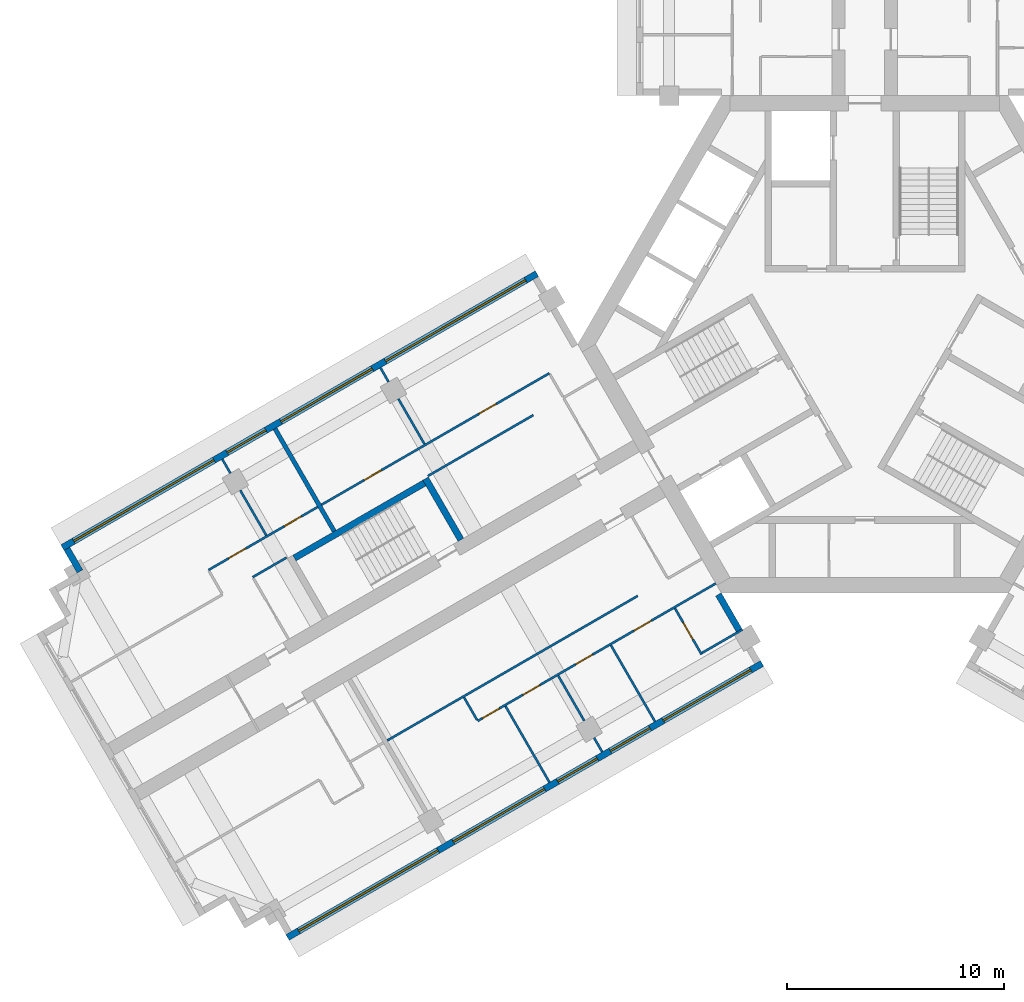
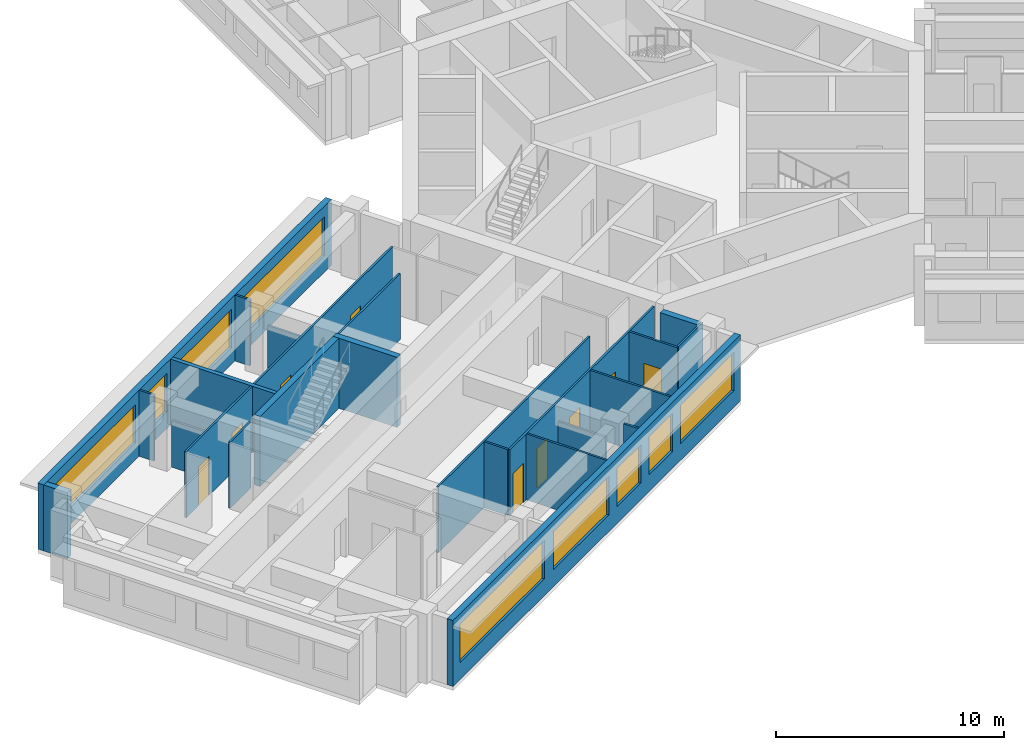
# One storey, part 3 of 10: 24 walls, 9 doors, 9 windows, 18 openings.
"""IFC4 building model written with IfcOpenShell, lengths in metres."""

from ifc_helpers import new_model, si_unit, direction, frame, frame_2d, origin, place, context, subcontext, project, spatial, rectangle, extrude, material, layer, layer_set, type_object, element, fill, save


model = new_model("IFC4")

# Units and contexts
model_context = context("Model", 3, precision=1e-05, world=origin(), true_north=direction((0.0, 1.0)))
body_context = subcontext(model_context, "Body", "Model", "MODEL_VIEW")
ifc_project = project(units=[si_unit("LENGTHUNIT", "METRE"), si_unit("AREAUNIT", "SQUARE_METRE"), si_unit("VOLUMEUNIT", "CUBIC_METRE"), si_unit("PLANEANGLEUNIT", "RADIAN"), si_unit("MASSUNIT", "GRAM", prefix="KILO")], contexts=[model_context])

# Site, building, storey
site_placement = place(None, origin())
site = spatial("IfcSite", under=ifc_project, at=site_placement, CompositionType="ELEMENT")
building_placement = place(site_placement, origin())
building = spatial("IfcBuilding", under=site, at=building_placement, Name="Impinga Residences", CompositionType="ELEMENT")
storey_placement = place(building_placement, frame((0.0, 0.0, 196.0)))
storey = spatial("IfcBuildingStorey", under=building, at=storey_placement, Name="L48", CompositionType="ELEMENT", Elevation=196.0)

# Wall
ifc_material_1 = material(Name="Terracotta rainscreen on blockwork", Category="masonry")
ifc_layer_1 = layer(ifc_material_1, 0.300048828125)
ifc_layer_set_1 = layer_set([ifc_layer_1], Name="EW1 external wall, terracotta rainscreen on blockwork 300")
wall_type_1 = type_object("IfcWallType", Name="EW1 external wall, terracotta rainscreen on blockwork 300", PredefinedType="SOLIDWALL", material=ifc_layer_set_1)
wall_1_placement = place(storey_placement, frame((-36.093994140625, -10.446533203125, 0.0), z_axis=(0.0, 0.0, 1.0), x_axis=(-0.499880961361, 0.866094119867, 0.0)))
element("IfcWall", 1, at=wall_1_placement, inside=storey, type_object=wall_type_1, Name="External wall EW1 L48", PredefinedType="SOLIDWALL", context=body_context, shape_type="SweptSolid", body=[
    extrude(rectangle(XDim=1.199951171875, YDim=0.300048828125, at=frame_2d((0.60009765625, 0.0))), origin(), (0.0, 0.0, 1.0), 3.530029296875),
])

# Wall, openings, windows
wall_2_placement = place(storey_placement, frame((-36.89892578125, -9.352294921875, 0.0), z_axis=(0.0, 0.0, 1.0), x_axis=(0.86602925447, 0.499993330357, 0.0)))
wall_2 = element("IfcWall", 2, at=wall_2_placement, inside=storey, type_object=wall_type_1, Name="External wall EW1 L48", PredefinedType="SOLIDWALL", context=body_context, shape_type="SweptSolid", body=[
    extrude(rectangle(XDim=25.199951171875, YDim=0.300048828125, at=frame_2d((12.60009765625, 0.0))), origin(), (0.0, 0.0, 1.0), 3.530029296875),
])
opening_1_placement = place(wall_2_placement, frame((0.60009765625, 0.0, 0.89990234375)))
opening_1 = element("IfcOpeningElement", 3, at=opening_1_placement, cuts=wall_2, Name="Opening W7", PredefinedType="OPENING", context=body_context, shape_type="SweptSolid", body=[
    extrude(rectangle(XDim=7.449951171875, YDim=2.050048828125, at=frame_2d((3.72509765625, 1.02490234375))), frame((0.0, 0.159912109375, 0.0), z_axis=(0.0, -1.0, 0.0), x_axis=(1.0, 0.0, 0.0)), (0.0, 0.0, 1.0), 0.320068359375),
])
opening_2_placement = place(wall_2_placement, frame((8.75, 0.0, 0.89990234375)))
opening_2 = element("IfcOpeningElement", 4, at=opening_2_placement, cuts=wall_2, Name="Opening W14", PredefinedType="OPENING", context=body_context, shape_type="SweptSolid", body=[
    extrude(rectangle(XDim=2.050048828125, YDim=2.050048828125, at=frame_2d((1.02490234375, 1.02490234375))), frame((0.0, 0.159912109375, 0.0), z_axis=(0.0, -1.0, 0.0), x_axis=(1.0, 0.0, 0.0)), (0.0, 0.0, 1.0), 0.320068359375),
])
opening_3_placement = place(wall_2_placement, frame((11.60009765625, 0.0, 0.89990234375)))
opening_3 = element("IfcOpeningElement", 5, at=opening_3_placement, cuts=wall_2, Name="Opening W6", PredefinedType="OPENING", context=body_context, shape_type="SweptSolid", body=[
    extrude(rectangle(XDim=4.85009765625, YDim=2.050048828125, at=frame_2d((2.425048828125, 1.02490234375))), frame((0.0, 0.159912109375, 0.0), z_axis=(0.0, -1.0, 0.0), x_axis=(1.0, 0.0, 0.0)), (0.0, 0.0, 1.0), 0.320068359375),
])
opening_4_placement = place(wall_2_placement, frame((17.14990234375, 0.0, 0.89990234375)))
opening_4 = element("IfcOpeningElement", 6, at=opening_4_placement, cuts=wall_2, Name="Opening W7", PredefinedType="OPENING", context=body_context, shape_type="SweptSolid", body=[
    extrude(rectangle(XDim=7.449951171875, YDim=2.050048828125, at=frame_2d((3.72509765625, 1.02490234375))), frame((0.0, 0.159912109375, 0.0), z_axis=(0.0, -1.0, 0.0), x_axis=(1.0, 0.0, 0.0)), (0.0, 0.0, 1.0), 0.320068359375),
])
ifc_material_2 = material(Name="Aluminium window, clear double glazing", Category="aluminium")
window_type_1 = type_object("IfcWindowType", Name="W14 ribbon window 2050x2050", PartitioningType="SINGLE_PANEL", PredefinedType="WINDOW", material=ifc_material_2)
window_1_placement = place(opening_2_placement, origin())
window_1 = element("IfcWindow", 7, at=window_1_placement, inside=storey, type_object=window_type_1, Name="Window L48", OverallHeight=2.050048828125, OverallWidth=2.050048828125, PartitioningType="SINGLE_PANEL", PredefinedType="WINDOW", context=body_context, shape_type="SweptSolid", body=[
    extrude(rectangle(XDim=2.050048828125, YDim=2.050048828125, at=frame_2d((1.02490234375, 1.02490234375))), frame((0.0, 0.030029296875, 0.0), z_axis=(0.0, -1.0, 0.0), x_axis=(1.0, 0.0, 0.0)), (0.0, 0.0, 1.0), 0.06005859375),
])
fill(opening_2, window_1)
window_type_2 = type_object("IfcWindowType", Name="W6 ribbon window 4850x2050", PartitioningType="SINGLE_PANEL", PredefinedType="WINDOW", material=ifc_material_2)
window_2_placement = place(opening_3_placement, origin())
window_2 = element("IfcWindow", 8, at=window_2_placement, inside=storey, type_object=window_type_2, Name="Window L48", OverallHeight=2.050048828125, OverallWidth=4.85009765625, PartitioningType="SINGLE_PANEL", PredefinedType="WINDOW", context=body_context, shape_type="SweptSolid", body=[
    extrude(rectangle(XDim=4.85009765625, YDim=2.050048828125, at=frame_2d((2.425048828125, 1.02490234375))), frame((0.0, 0.030029296875, 0.0), z_axis=(0.0, -1.0, 0.0), x_axis=(1.0, 0.0, 0.0)), (0.0, 0.0, 1.0), 0.06005859375),
])
fill(opening_3, window_2)
window_type_3 = type_object("IfcWindowType", Name="W7 ribbon window 7450x2050", PartitioningType="SINGLE_PANEL", PredefinedType="WINDOW", material=ifc_material_2)
window_3_placement = place(opening_1_placement, origin())
window_3 = element("IfcWindow", 9, at=window_3_placement, inside=storey, type_object=window_type_3, Name="Window L48", OverallHeight=2.050048828125, OverallWidth=7.449951171875, PartitioningType="SINGLE_PANEL", PredefinedType="WINDOW", context=body_context, shape_type="SweptSolid", body=[
    extrude(rectangle(XDim=7.449951171875, YDim=2.050048828125, at=frame_2d((3.72509765625, 1.02490234375))), frame((0.0, 0.030029296875, 0.0), z_axis=(0.0, -1.0, 0.0), x_axis=(1.0, 0.0, 0.0)), (0.0, 0.0, 1.0), 0.06005859375),
])
fill(opening_1, window_3)
window_4_placement = place(opening_4_placement, origin())
window_4 = element("IfcWindow", 10, at=window_4_placement, inside=storey, type_object=window_type_3, Name="Window L48", OverallHeight=2.050048828125, OverallWidth=7.449951171875, PartitioningType="SINGLE_PANEL", PredefinedType="WINDOW", context=body_context, shape_type="SweptSolid", body=[
    extrude(rectangle(XDim=7.449951171875, YDim=2.050048828125, at=frame_2d((3.72509765625, 1.02490234375))), frame((0.0, 0.030029296875, 0.0), z_axis=(0.0, -1.0, 0.0), x_axis=(1.0, 0.0, 0.0)), (0.0, 0.0, 1.0), 0.06005859375),
])
fill(opening_4, window_4)

# Wall
wall_3_placement = place(storey_placement, frame((-6.72998046875, -11.506591796875, 0.0), z_axis=(0.0, 0.0, 1.0), x_axis=(0.500043961785, -0.866000020948, 0.0)))
element("IfcWall", 11, at=wall_3_placement, inside=storey, type_object=wall_type_1, Name="External wall EW1 L48", PredefinedType="SOLIDWALL", context=body_context, shape_type="SweptSolid", body=[
    extrude(rectangle(XDim=1.949951171875, YDim=0.300048828125, at=frame_2d((0.97509765625, 0.0))), origin(), (0.0, 0.0, 1.0), 3.530029296875),
])

# Wall, openings, windows
wall_4_placement = place(storey_placement, frame((-4.72509765625, -14.67919921875, 0.0), z_axis=(0.0, 0.0, 1.0), x_axis=(-0.866026832479, -0.499997525421, 0.0)))
wall_4 = element("IfcWall", 12, at=wall_4_placement, inside=storey, type_object=wall_type_1, Name="External wall EW1 L48", PredefinedType="SOLIDWALL", context=body_context, shape_type="SweptSolid", body=[
    extrude(rectangle(XDim=25.199951171875, YDim=0.300048828125, at=frame_2d((12.60009765625, 0.0))), origin(), (0.0, 0.0, 1.0), 3.530029296875),
])
opening_5_placement = place(wall_4_placement, frame((0.60009765625, 0.0, 0.89990234375)))
opening_5 = element("IfcOpeningElement", 13, at=opening_5_placement, cuts=wall_4, Name="Opening W10", PredefinedType="OPENING", context=body_context, shape_type="SweptSolid", body=[
    extrude(rectangle(XDim=4.64990234375, YDim=2.050048828125, at=frame_2d((2.324951171875, 1.02490234375))), frame((0.0, 0.159912109375, 0.0), z_axis=(0.0, -1.0, 0.0), x_axis=(1.0, 0.0, 0.0)), (0.0, 0.0, 1.0), 0.320068359375),
])
opening_6_placement = place(wall_4_placement, frame((5.949951171875, 0.0, 0.89990234375)))
opening_6 = element("IfcOpeningElement", 14, at=opening_6_placement, cuts=wall_4, Name="Opening W9", PredefinedType="OPENING", context=body_context, shape_type="SweptSolid", body=[
    extrude(rectangle(XDim=2.10009765625, YDim=2.050048828125, at=frame_2d((1.050048828125, 1.02490234375))), frame((0.0, 0.159912109375, 0.0), z_axis=(0.0, -1.0, 0.0), x_axis=(1.0, 0.0, 0.0)), (0.0, 0.0, 1.0), 0.320068359375),
])
opening_7_placement = place(wall_4_placement, frame((8.75, 0.0, 0.89990234375)))
opening_7 = element("IfcOpeningElement", 15, at=opening_7_placement, cuts=wall_4, Name="Opening W9", PredefinedType="OPENING", context=body_context, shape_type="SweptSolid", body=[
    extrude(rectangle(XDim=2.10009765625, YDim=2.050048828125, at=frame_2d((1.050048828125, 1.02490234375))), frame((0.0, 0.159912109375, 0.0), z_axis=(0.0, -1.0, 0.0), x_axis=(1.0, 0.0, 0.0)), (0.0, 0.0, 1.0), 0.320068359375),
])
opening_8_placement = place(wall_4_placement, frame((11.550048828125, 0.0, 0.89990234375)))
opening_8 = element("IfcOpeningElement", 16, at=opening_8_placement, cuts=wall_4, Name="Opening W6", PredefinedType="OPENING", context=body_context, shape_type="SweptSolid", body=[
    extrude(rectangle(XDim=4.85009765625, YDim=2.050048828125, at=frame_2d((2.425048828125, 1.02490234375))), frame((0.0, 0.159912109375, 0.0), z_axis=(0.0, -1.0, 0.0), x_axis=(1.0, 0.0, 0.0)), (0.0, 0.0, 1.0), 0.320068359375),
])
opening_9_placement = place(wall_4_placement, frame((17.199951171875, 0.0, 0.89990234375)))
opening_9 = element("IfcOpeningElement", 17, at=opening_9_placement, cuts=wall_4, Name="Opening W12", PredefinedType="OPENING", context=body_context, shape_type="SweptSolid", body=[
    extrude(rectangle(XDim=7.39990234375, YDim=2.050048828125, at=frame_2d((3.699951171875, 1.02490234375))), frame((0.0, 0.159912109375, 0.0), z_axis=(0.0, -1.0, 0.0), x_axis=(1.0, 0.0, 0.0)), (0.0, 0.0, 1.0), 0.320068359375),
])
window_type_4 = type_object("IfcWindowType", Name="W10 ribbon window 4650x2050", PartitioningType="SINGLE_PANEL", PredefinedType="WINDOW", material=ifc_material_2)
window_5_placement = place(opening_5_placement, origin())
window_5 = element("IfcWindow", 18, at=window_5_placement, inside=storey, type_object=window_type_4, Name="Window L48", OverallHeight=2.050048828125, OverallWidth=4.64990234375, PartitioningType="SINGLE_PANEL", PredefinedType="WINDOW", context=body_context, shape_type="SweptSolid", body=[
    extrude(rectangle(XDim=4.64990234375, YDim=2.050048828125, at=frame_2d((2.324951171875, 1.02490234375))), frame((0.0, 0.030029296875, 0.0), z_axis=(0.0, -1.0, 0.0), x_axis=(1.0, 0.0, 0.0)), (0.0, 0.0, 1.0), 0.06005859375),
])
fill(opening_5, window_5)
window_type_5 = type_object("IfcWindowType", Name="W12 ribbon window 7400x2050", PartitioningType="SINGLE_PANEL", PredefinedType="WINDOW", material=ifc_material_2)
window_6_placement = place(opening_9_placement, origin())
window_6 = element("IfcWindow", 19, at=window_6_placement, inside=storey, type_object=window_type_5, Name="Window L48", OverallHeight=2.050048828125, OverallWidth=7.39990234375, PartitioningType="SINGLE_PANEL", PredefinedType="WINDOW", context=body_context, shape_type="SweptSolid", body=[
    extrude(rectangle(XDim=7.39990234375, YDim=2.050048828125, at=frame_2d((3.699951171875, 1.02490234375))), frame((0.0, 0.030029296875, 0.0), z_axis=(0.0, -1.0, 0.0), x_axis=(1.0, 0.0, 0.0)), (0.0, 0.0, 1.0), 0.06005859375),
])
fill(opening_9, window_6)
window_7_placement = place(opening_8_placement, origin())
window_7 = element("IfcWindow", 20, at=window_7_placement, inside=storey, type_object=window_type_2, Name="Window L48", OverallHeight=2.050048828125, OverallWidth=4.85009765625, PartitioningType="SINGLE_PANEL", PredefinedType="WINDOW", context=body_context, shape_type="SweptSolid", body=[
    extrude(rectangle(XDim=4.85009765625, YDim=2.050048828125, at=frame_2d((2.425048828125, 1.02490234375))), frame((0.0, 0.030029296875, 0.0), z_axis=(0.0, -1.0, 0.0), x_axis=(1.0, 0.0, 0.0)), (0.0, 0.0, 1.0), 0.06005859375),
])
fill(opening_8, window_7)
window_type_6 = type_object("IfcWindowType", Name="W9 ribbon window 2100x2050", PartitioningType="SINGLE_PANEL", PredefinedType="WINDOW", material=ifc_material_2)
window_8_placement = place(opening_6_placement, origin())
window_8 = element("IfcWindow", 21, at=window_8_placement, inside=storey, type_object=window_type_6, Name="Window L48", OverallHeight=2.050048828125, OverallWidth=2.10009765625, PartitioningType="SINGLE_PANEL", PredefinedType="WINDOW", context=body_context, shape_type="SweptSolid", body=[
    extrude(rectangle(XDim=2.10009765625, YDim=2.050048828125, at=frame_2d((1.050048828125, 1.02490234375))), frame((0.0, 0.030029296875, 0.0), z_axis=(0.0, -1.0, 0.0), x_axis=(1.0, 0.0, 0.0)), (0.0, 0.0, 1.0), 0.06005859375),
])
fill(opening_6, window_8)
window_9_placement = place(opening_7_placement, origin())
window_9 = element("IfcWindow", 22, at=window_9_placement, inside=storey, type_object=window_type_6, Name="Window L48", OverallHeight=2.050048828125, OverallWidth=2.10009765625, PartitioningType="SINGLE_PANEL", PredefinedType="WINDOW", context=body_context, shape_type="SweptSolid", body=[
    extrude(rectangle(XDim=2.10009765625, YDim=2.050048828125, at=frame_2d((1.050048828125, 1.02490234375))), frame((0.0, 0.030029296875, 0.0), z_axis=(0.0, -1.0, 0.0), x_axis=(1.0, 0.0, 0.0)), (0.0, 0.0, 1.0), 0.06005859375),
])
fill(opening_7, window_9)

# Wall
ifc_material_3 = material(Name="Gypsum board on steel studs", Category="steel")
ifc_layer_2 = layer(ifc_material_3, 0.10009765625)
ifc_layer_set_2 = layer_set([ifc_layer_2], Name="Gypsum board on steel studs")
wall_type_2 = type_object("IfcWallType", Name="IP1 partition 100", PredefinedType="PARTITIONING", material=ifc_layer_set_2)
wall_5_placement = place(storey_placement, frame((-10.444580078125, -11.57275390625, 0.0), z_axis=(0.0, 0.0, 1.0), x_axis=(-0.866027239912, -0.49999681972, 0.0)))
element("IfcWall", 23, at=wall_5_placement, inside=storey, type_object=wall_type_2, Name="Partition L48-WA1:DIV1", PredefinedType="PARTITIONING", context=body_context, shape_type="SweptSolid", body=[
    extrude(rectangle(XDim=13.2998046875, YDim=0.10009765625, at=frame_2d((6.64990234375, 0.0))), origin(), (0.0, 0.0, 1.0), 3.530029296875),
])

# Wall, openings, doors
wall_6_placement = place(storey_placement, frame((-6.85009765625, -10.99853515625, 0.0), z_axis=(0.0, 0.0, 1.0), x_axis=(-0.866024244478, -0.500002007972, 0.0)))
wall_6 = element("IfcWall", 24, at=wall_6_placement, inside=storey, type_object=wall_type_2, Name="Partition L48-WA1:STRIP", PredefinedType="PARTITIONING", context=body_context, shape_type="SweptSolid", body=[
    extrude(rectangle(XDim=12.64990234375, YDim=0.10009765625, at=frame_2d((6.324951171875, 0.0))), origin(), (0.0, 0.0, 1.0), 3.530029296875),
])
opening_10_placement = place(wall_6_placement, frame((3.449951171875, 0.0, 0.0)))
opening_10 = element("IfcOpeningElement", 25, at=opening_10_placement, cuts=wall_6, Name="Opening D2", PredefinedType="OPENING", context=body_context, shape_type="SweptSolid", body=[
    extrude(rectangle(XDim=0.89990234375, YDim=2.10009765625, at=frame_2d((0.449951171875, 1.050048828125))), frame((0.0, 0.06005859375, 0.0), z_axis=(0.0, -1.0, 0.0), x_axis=(1.0, 0.0, 0.0)), (0.0, 0.0, 1.0), 0.1201171875),
])
opening_11_placement = place(wall_6_placement, frame((6.550048828125, 0.0, 0.0)))
opening_11 = element("IfcOpeningElement", 26, at=opening_11_placement, cuts=wall_6, Name="Opening D2", PredefinedType="OPENING", context=body_context, shape_type="SweptSolid", body=[
    extrude(rectangle(XDim=0.89990234375, YDim=2.10009765625, at=frame_2d((0.449951171875, 1.050048828125))), frame((0.0, 0.06005859375, 0.0), z_axis=(0.0, -1.0, 0.0), x_axis=(1.0, 0.0, 0.0)), (0.0, 0.0, 1.0), 0.1201171875),
])
opening_12_placement = place(wall_6_placement, frame((9.35009765625, 0.0, 0.0)))
opening_12 = element("IfcOpeningElement", 27, at=opening_12_placement, cuts=wall_6, Name="Opening D2", PredefinedType="OPENING", context=body_context, shape_type="SweptSolid", body=[
    extrude(rectangle(XDim=0.89990234375, YDim=2.10009765625, at=frame_2d((0.449951171875, 1.050048828125))), frame((0.0, 0.06005859375, 0.0), z_axis=(0.0, -1.0, 0.0), x_axis=(1.0, 0.0, 0.0)), (0.0, 0.0, 1.0), 0.1201171875),
])
opening_13_placement = place(wall_6_placement, frame((11.5, 0.0, 0.0)))
opening_13 = element("IfcOpeningElement", 28, at=opening_13_placement, cuts=wall_6, Name="Opening D2", PredefinedType="OPENING", context=body_context, shape_type="SweptSolid", body=[
    extrude(rectangle(XDim=0.89990234375, YDim=2.10009765625, at=frame_2d((0.449951171875, 1.050048828125))), frame((0.0, 0.06005859375, 0.0), z_axis=(0.0, -1.0, 0.0), x_axis=(1.0, 0.0, 0.0)), (0.0, 0.0, 1.0), 0.1201171875),
])
ifc_material_4 = material(Name="Timber door set", Category="wood")
door_type = type_object("IfcDoorType", Name="D2 internal door 900x2100", OperationType="SINGLE_SWING_LEFT", PredefinedType="DOOR", material=ifc_material_4)
door_1_placement = place(opening_10_placement, origin())
door_1 = element("IfcDoor", 29, at=door_1_placement, inside=storey, type_object=door_type, Name="Apartment L48-WA1 room door", OperationType="SINGLE_SWING_LEFT", OverallHeight=2.10009765625, OverallWidth=0.89990234375, PredefinedType="DOOR", context=body_context, shape_type="SweptSolid", body=[
    extrude(rectangle(XDim=0.89990234375, YDim=2.10009765625, at=frame_2d((0.449951171875, 1.050048828125))), frame((0.0, 0.02490234375, 0.0), z_axis=(0.0, -1.0, 0.0), x_axis=(1.0, 0.0, 0.0)), (0.0, 0.0, 1.0), 0.050048828125),
])
fill(opening_10, door_1)
door_2_placement = place(opening_11_placement, origin())
door_2 = element("IfcDoor", 30, at=door_2_placement, inside=storey, type_object=door_type, Name="Apartment L48-WA1 room door", OperationType="SINGLE_SWING_RIGHT", OverallHeight=2.10009765625, OverallWidth=0.89990234375, PredefinedType="DOOR", context=body_context, shape_type="SweptSolid", body=[
    extrude(rectangle(XDim=0.89990234375, YDim=2.10009765625, at=frame_2d((0.449951171875, 1.050048828125))), frame((0.0, 0.02490234375, 0.0), z_axis=(0.0, -1.0, 0.0), x_axis=(1.0, 0.0, 0.0)), (0.0, 0.0, 1.0), 0.050048828125),
])
fill(opening_11, door_2)
door_3_placement = place(opening_12_placement, origin())
door_3 = element("IfcDoor", 31, at=door_3_placement, inside=storey, type_object=door_type, Name="Apartment L48-WA1 room door", OperationType="SINGLE_SWING_RIGHT", OverallHeight=2.10009765625, OverallWidth=0.89990234375, PredefinedType="DOOR", context=body_context, shape_type="SweptSolid", body=[
    extrude(rectangle(XDim=0.89990234375, YDim=2.10009765625, at=frame_2d((0.449951171875, 1.050048828125))), frame((0.0, 0.02490234375, 0.0), z_axis=(0.0, -1.0, 0.0), x_axis=(1.0, 0.0, 0.0)), (0.0, 0.0, 1.0), 0.050048828125),
])
fill(opening_12, door_3)
door_4_placement = place(opening_13_placement, origin())
door_4 = element("IfcDoor", 32, at=door_4_placement, inside=storey, type_object=door_type, Name="Apartment L48-WA1 room door", OperationType="SINGLE_SWING_RIGHT", OverallHeight=2.10009765625, OverallWidth=0.89990234375, PredefinedType="DOOR", context=body_context, shape_type="SweptSolid", body=[
    extrude(rectangle(XDim=0.89990234375, YDim=2.10009765625, at=frame_2d((0.449951171875, 1.050048828125))), frame((0.0, 0.02490234375, 0.0), z_axis=(0.0, -1.0, 0.0), x_axis=(1.0, 0.0, 0.0)), (0.0, 0.0, 1.0), 0.050048828125),
])
fill(opening_13, door_4)

# Walls
wall_7_placement = place(storey_placement, frame((-18.43017578125, -16.240966796875, 0.0), z_axis=(0.0, 0.0, 1.0), x_axis=(0.499880961361, -0.866094119867, 0.0)))
element("IfcWall", 33, at=wall_7_placement, inside=storey, type_object=wall_type_2, Name="Partition L48-WA1:SE1", PredefinedType="PARTITIONING", context=body_context, shape_type="SweptSolid", body=[
    extrude(rectangle(XDim=1.199951171875, YDim=0.10009765625, at=frame_2d((0.60009765625, 0.0))), origin(), (0.0, 0.0, 1.0), 3.530029296875),
])
wall_8_placement = place(storey_placement, frame((-11.6748046875, -13.841796875, 0.0), z_axis=(0.0, 0.0, 1.0), x_axis=(0.500035537042, -0.866004885491, 0.0)))
element("IfcWall", 34, at=wall_8_placement, inside=storey, type_object=wall_type_2, Name="Partition L48-WA1:OB1", PredefinedType="PARTITIONING", context=body_context, shape_type="SweptSolid", body=[
    extrude(rectangle(XDim=4.050048828125, YDim=0.10009765625, at=frame_2d((2.02490234375, 0.0))), origin(), (0.0, 0.0, 1.0), 3.530029296875),
])
wall_9_placement = place(storey_placement, frame((-14.099609375, -15.241943359375, 0.0), z_axis=(0.0, 0.0, 1.0), x_axis=(0.500001309137, -0.866024647952, 0.0)))
element("IfcWall", 35, at=wall_9_placement, inside=storey, type_object=wall_type_2, Name="Partition L48-WA1:OB2", PredefinedType="PARTITIONING", context=body_context, shape_type="SweptSolid", body=[
    extrude(rectangle(XDim=2.39990234375, YDim=0.10009765625, at=frame_2d((1.199951171875, 0.0))), origin(), (0.0, 0.0, 1.0), 2.47998046875),
])
wall_10_placement = place(storey_placement, frame((-12.44970703125, -18.099609375, 0.0), z_axis=(0.0, 0.0, 1.0), x_axis=(0.499919672301, -0.866071776036, 0.0)))
element("IfcWall", 36, at=wall_10_placement, inside=storey, type_object=wall_type_2, Name="Partition L48-WA1:OB2b", PredefinedType="PARTITIONING", context=body_context, shape_type="SweptSolid", body=[
    extrude(rectangle(XDim=0.75, YDim=0.10009765625, at=frame_2d((0.375, 0.0))), origin(), (0.0, 0.0, 1.0), 3.530029296875),
])
wall_11_placement = place(storey_placement, frame((-16.5244140625, -16.641845703125, 0.0), z_axis=(0.0, 0.0, 1.0), x_axis=(0.499990325971, -0.866030989016, 0.0)))
element("IfcWall", 37, at=wall_11_placement, inside=storey, type_object=wall_type_2, Name="Partition L48-WA1:OB3", PredefinedType="PARTITIONING", context=body_context, shape_type="SweptSolid", body=[
    extrude(rectangle(XDim=4.0498046875, YDim=0.10009765625, at=frame_2d((2.02490234375, 0.0))), origin(), (0.0, 0.0, 1.0), 3.530029296875),
])

# Wall, opening, door
wall_12_placement = place(storey_placement, frame((-8.730224609375, -12.141845703125, 0.0), z_axis=(0.0, 0.0, 1.0), x_axis=(0.499943856944, -0.866057815567, 0.0)))
wall_12 = element("IfcWall", 38, at=wall_12_placement, inside=storey, type_object=wall_type_2, Name="Partition L48-WA1:EN1", PredefinedType="PARTITIONING", context=body_context, shape_type="SweptSolid", body=[
    extrude(rectangle(XDim=2.449951171875, YDim=0.10009765625, at=frame_2d((1.22509765625, 0.0))), origin(), (0.0, 0.0, 1.0), 3.530029296875),
])
opening_14_placement = place(wall_12_placement, frame((0.75, 0.0, 0.0)))
opening_14 = element("IfcOpeningElement", 39, at=opening_14_placement, cuts=wall_12, Name="Opening D2", PredefinedType="OPENING", context=body_context, shape_type="SweptSolid", body=[
    extrude(rectangle(XDim=0.89990234375, YDim=2.10009765625, at=frame_2d((0.449951171875, 1.050048828125))), frame((0.0, 0.06005859375, 0.0), z_axis=(0.0, -1.0, 0.0), x_axis=(1.0, 0.0, 0.0)), (0.0, 0.0, 1.0), 0.1201171875),
])
door_5_placement = place(opening_14_placement, origin())
door_5 = element("IfcDoor", 40, at=door_5_placement, inside=storey, type_object=door_type, Name="Apartment L48-WA1 en-suite door", OperationType="SINGLE_SWING_LEFT", OverallHeight=2.10009765625, OverallWidth=0.89990234375, PredefinedType="DOOR", context=body_context, shape_type="SweptSolid", body=[
    extrude(rectangle(XDim=0.89990234375, YDim=2.10009765625, at=frame_2d((0.449951171875, 1.050048828125))), frame((0.0, 0.02490234375, 0.0), z_axis=(0.0, -1.0, 0.0), x_axis=(1.0, 0.0, 0.0)), (0.0, 0.0, 1.0), 0.050048828125),
])
fill(opening_14, door_5)

# Walls
wall_13_placement = place(storey_placement, frame((-5.625, -13.120361328125, 0.0), z_axis=(0.0, 0.0, 1.0), x_axis=(-0.866047553582, -0.499961633463, 0.0)))
element("IfcWall", 41, at=wall_13_placement, inside=storey, type_object=wall_type_2, Name="Partition L48-WA1:EN2", PredefinedType="PARTITIONING", context=body_context, shape_type="SweptSolid", body=[
    extrude(rectangle(XDim=2.150146484375, YDim=0.10009765625, at=frame_2d((1.0751953125, 0.0))), origin(), (0.0, 0.0, 1.0), 3.530029296875),
])
wall_14_placement = place(storey_placement, frame((-15.244384765625, -3.2587890625, 0.0), z_axis=(0.0, 0.0, 1.0), x_axis=(-0.866026594901, -0.49999793692, 0.0)))
element("IfcWall", 42, at=wall_14_placement, inside=storey, type_object=wall_type_2, Name="Partition L48-WF1:DIV1", PredefinedType="PARTITIONING", context=body_context, shape_type="SweptSolid", body=[
    extrude(rectangle(XDim=5.60009765625, YDim=0.10009765625, at=frame_2d((2.800048828125, 0.0))), origin(), (0.0, 0.0, 1.0), 3.530029296875),
])

# Wall, openings, doors
wall_15_placement = place(storey_placement, frame((-14.5087890625, -1.3330078125, 0.0), z_axis=(0.0, 0.0, 1.0), x_axis=(-0.866025650635, -0.499999572443, 0.0)))
wall_15 = element("IfcWall", 43, at=wall_15_placement, inside=storey, type_object=wall_type_2, Name="Partition L48-WF1:STRIP", PredefinedType="PARTITIONING", context=body_context, shape_type="SweptSolid", body=[
    extrude(rectangle(XDim=12.10009765625, YDim=0.10009765625, at=frame_2d((6.050048828125, 0.0))), origin(), (0.0, 0.0, 1.0), 3.530029296875),
])
opening_15_placement = place(wall_15_placement, frame((2.824951171875, 0.0, 0.0)))
opening_15 = element("IfcOpeningElement", 44, at=opening_15_placement, cuts=wall_15, Name="Opening D2", PredefinedType="OPENING", context=body_context, shape_type="SweptSolid", body=[
    extrude(rectangle(XDim=0.89990234375, YDim=2.10009765625, at=frame_2d((0.449951171875, 1.050048828125))), frame((0.0, 0.06005859375, 0.0), z_axis=(0.0, -1.0, 0.0), x_axis=(1.0, 0.0, 0.0)), (0.0, 0.0, 1.0), 0.1201171875),
])
opening_16_placement = place(wall_15_placement, frame((8.925048828125, 0.0, 0.0)))
opening_16 = element("IfcOpeningElement", 45, at=opening_16_placement, cuts=wall_15, Name="Opening D2", PredefinedType="OPENING", context=body_context, shape_type="SweptSolid", body=[
    extrude(rectangle(XDim=0.89990234375, YDim=2.10009765625, at=frame_2d((0.449951171875, 1.050048828125))), frame((0.0, 0.06005859375, 0.0), z_axis=(0.0, -1.0, 0.0), x_axis=(1.0, 0.0, 0.0)), (0.0, 0.0, 1.0), 0.1201171875),
])
door_6_placement = place(opening_15_placement, origin())
door_6 = element("IfcDoor", 46, at=door_6_placement, inside=storey, type_object=door_type, Name="Apartment L48-WF1 room door", OperationType="SINGLE_SWING_LEFT", OverallHeight=2.10009765625, OverallWidth=0.89990234375, PredefinedType="DOOR", context=body_context, shape_type="SweptSolid", body=[
    extrude(rectangle(XDim=0.89990234375, YDim=2.10009765625, at=frame_2d((0.449951171875, 1.050048828125))), frame((0.0, 0.02490234375, 0.0), z_axis=(0.0, -1.0, 0.0), x_axis=(1.0, 0.0, 0.0)), (0.0, 0.0, 1.0), 0.050048828125),
])
fill(opening_15, door_6)
door_7_placement = place(opening_16_placement, origin())
door_7 = element("IfcDoor", 47, at=door_7_placement, inside=storey, type_object=door_type, Name="Apartment L48-WF1 room door", OperationType="SINGLE_SWING_RIGHT", OverallHeight=2.10009765625, OverallWidth=0.89990234375, PredefinedType="DOOR", context=body_context, shape_type="SweptSolid", body=[
    extrude(rectangle(XDim=0.89990234375, YDim=2.10009765625, at=frame_2d((0.449951171875, 1.050048828125))), frame((0.0, 0.02490234375, 0.0), z_axis=(0.0, -1.0, 0.0), x_axis=(1.0, 0.0, 0.0)), (0.0, 0.0, 1.0), 0.050048828125),
])
fill(opening_16, door_7)

# Walls
wall_16_placement = place(storey_placement, frame((-20.24951171875, -4.589599609375, 0.0), z_axis=(0.0, 0.0, 1.0), x_axis=(-0.500077600433, 0.865980596518, 0.0)))
element("IfcWall", 48, at=wall_16_placement, inside=storey, type_object=wall_type_2, Name="Partition L48-WF1:OB1", PredefinedType="PARTITIONING", context=body_context, shape_type="SweptSolid", body=[
    extrude(rectangle(XDim=2.39990234375, YDim=0.10009765625, at=frame_2d((1.199951171875, 0.0))), origin(), (0.0, 0.0, 1.0), 2.47998046875),
])
wall_17_placement = place(storey_placement, frame((-21.899658203125, -1.73193359375, 0.0), z_axis=(0.0, 0.0, 1.0), x_axis=(-0.499919672301, 0.866071776036, 0.0)))
element("IfcWall", 49, at=wall_17_placement, inside=storey, type_object=wall_type_2, Name="Partition L48-WF1:OB1b", PredefinedType="PARTITIONING", context=body_context, shape_type="SweptSolid", body=[
    extrude(rectangle(XDim=0.75, YDim=0.10009765625, at=frame_2d((0.375, 0.0))), origin(), (0.0, 0.0, 1.0), 3.530029296875),
])
wall_18_placement = place(storey_placement, frame((-26.58935546875, -9.808837890625, 0.0), z_axis=(0.0, 0.0, 1.0), x_axis=(-0.866047807691, -0.499961193289, 0.0)))
element("IfcWall", 50, at=wall_18_placement, inside=storey, type_object=wall_type_2, Name="Partition L48-WF2:DIV0", PredefinedType="PARTITIONING", context=body_context, shape_type="SweptSolid", body=[
    extrude(rectangle(XDim=1.800048828125, YDim=0.10009765625, at=frame_2d((0.89990234375, 0.0))), origin(), (0.0, 0.0, 1.0), 3.530029296875),
])

# Wall, openings, doors
wall_19_placement = place(storey_placement, frame((-25.160888671875, -7.48291015625, 0.0), z_axis=(0.0, 0.0, 1.0), x_axis=(-0.86601454848, -0.500018801468, 0.0)))
wall_19 = element("IfcWall", 51, at=wall_19_placement, inside=storey, type_object=wall_type_2, Name="Partition L48-WF2:STRIP", PredefinedType="PARTITIONING", context=body_context, shape_type="SweptSolid", body=[
    extrude(rectangle(XDim=5.800048828125, YDim=0.10009765625, at=frame_2d((2.89990234375, 0.0))), origin(), (0.0, 0.0, 1.0), 3.530029296875),
])
opening_17_placement = place(wall_19_placement, frame((0.875, 0.0, 0.0)))
opening_17 = element("IfcOpeningElement", 52, at=opening_17_placement, cuts=wall_19, Name="Opening D2", PredefinedType="OPENING", context=body_context, shape_type="SweptSolid", body=[
    extrude(rectangle(XDim=0.89990234375, YDim=2.10009765625, at=frame_2d((0.449951171875, 1.050048828125))), frame((0.0, 0.06005859375, 0.0), z_axis=(0.0, -1.0, 0.0), x_axis=(1.0, 0.0, 0.0)), (0.0, 0.0, 1.0), 0.1201171875),
])
opening_18_placement = place(wall_19_placement, frame((3.824951171875, 0.0, 0.0)))
opening_18 = element("IfcOpeningElement", 53, at=opening_18_placement, cuts=wall_19, Name="Opening D2", PredefinedType="OPENING", context=body_context, shape_type="SweptSolid", body=[
    extrude(rectangle(XDim=0.89990234375, YDim=2.10009765625, at=frame_2d((0.449951171875, 1.050048828125))), frame((0.0, 0.06005859375, 0.0), z_axis=(0.0, -1.0, 0.0), x_axis=(1.0, 0.0, 0.0)), (0.0, 0.0, 1.0), 0.1201171875),
])
door_8_placement = place(opening_17_placement, origin())
door_8 = element("IfcDoor", 54, at=door_8_placement, inside=storey, type_object=door_type, Name="Apartment L48-WF2 room door", OperationType="SINGLE_SWING_LEFT", OverallHeight=2.10009765625, OverallWidth=0.89990234375, PredefinedType="DOOR", context=body_context, shape_type="SweptSolid", body=[
    extrude(rectangle(XDim=0.89990234375, YDim=2.10009765625, at=frame_2d((0.449951171875, 1.050048828125))), frame((0.0, 0.02490234375, 0.0), z_axis=(0.0, -1.0, 0.0), x_axis=(1.0, 0.0, 0.0)), (0.0, 0.0, 1.0), 0.050048828125),
])
fill(opening_17, door_8)
door_9_placement = place(opening_18_placement, origin())
door_9 = element("IfcDoor", 55, at=door_9_placement, inside=storey, type_object=door_type, Name="Apartment L48-WF2 room door", OperationType="SINGLE_SWING_RIGHT", OverallHeight=2.10009765625, OverallWidth=0.89990234375, PredefinedType="DOOR", context=body_context, shape_type="SweptSolid", body=[
    extrude(rectangle(XDim=0.89990234375, YDim=2.10009765625, at=frame_2d((0.449951171875, 1.050048828125))), frame((0.0, 0.02490234375, 0.0), z_axis=(0.0, -1.0, 0.0), x_axis=(1.0, 0.0, 0.0)), (0.0, 0.0, 1.0), 0.050048828125),
])
fill(opening_18, door_9)

# Walls
wall_20_placement = place(storey_placement, frame((-27.524169921875, -8.789794921875, 0.0), z_axis=(0.0, 0.0, 1.0), x_axis=(-0.499957262057, 0.866050077142, 0.0)))
element("IfcWall", 56, at=wall_20_placement, inside=storey, type_object=wall_type_2, Name="Partition L48-WF2:OB1", PredefinedType="PARTITIONING", context=body_context, shape_type="SweptSolid", body=[
    extrude(rectangle(XDim=2.400146484375, YDim=0.10009765625, at=frame_2d((1.2001953125, 0.0))), origin(), (0.0, 0.0, 1.0), 2.47998046875),
])
wall_21_placement = place(storey_placement, frame((-29.17431640625, -5.931884765625, 0.0), z_axis=(0.0, 0.0, 1.0), x_axis=(-0.499919672301, 0.866071776036, 0.0)))
element("IfcWall", 57, at=wall_21_placement, inside=storey, type_object=wall_type_2, Name="Partition L48-WF2:OB1b", PredefinedType="PARTITIONING", context=body_context, shape_type="SweptSolid", body=[
    extrude(rectangle(XDim=0.75, YDim=0.10009765625, at=frame_2d((0.375, 0.0))), origin(), (0.0, 0.0, 1.0), 3.530029296875),
])
ifc_material_5 = material(Name="Concrete blockwork", Category="masonry")
ifc_layer_3 = layer(ifc_material_5, 0.199951171875)
ifc_layer_set_3 = layer_set([ifc_layer_3], Name="PW1 party wall between apartments 200")
wall_type_3 = type_object("IfcWallType", Name="PW1 party wall between apartments 200", PredefinedType="SOLIDWALL", material=ifc_layer_set_3)
wall_22_placement = place(storey_placement, frame((-24.3994140625, -8.60205078125, 0.0), z_axis=(0.0, 0.0, 1.0), x_axis=(-0.499988730927, 0.866031909889, 0.0)))
element("IfcWall", 58, at=wall_22_placement, inside=storey, type_object=wall_type_3, Name="Party wall between apartments L48-WF1:PARTY", PredefinedType="SOLIDWALL", context=body_context, shape_type="SweptSolid", body=[
    extrude(rectangle(XDim=5.449951171875, YDim=0.199951171875, at=frame_2d((2.72509765625, 0.0))), origin(), (0.0, 0.0, 1.0), 3.530029296875),
])
ifc_material_6 = material(Name="Concrete C60/75", Category="concrete")
ifc_layer_4 = layer(ifc_material_6, 0.300048828125)
ifc_layer_set_4 = layer_set([ifc_layer_4], Name="Concrete C60/75")
wall_type_4 = type_object("IfcWallType", Name="SE1 wing stair enclosure wall 300", PredefinedType="SOLIDWALL", material=ifc_layer_set_4)
wall_23_placement = place(storey_placement, frame((-18.57421875, -8.99169921875, 0.0), z_axis=(0.0, 0.0, 1.0), x_axis=(-0.500017246033, 0.866015446554, 0.0)))
element("IfcWall", 59, at=wall_23_placement, inside=storey, type_object=wall_type_4, Name="Stair enclosure wall SE1 W END0 L48", PredefinedType="SOLIDWALL", context=body_context, shape_type="SweptSolid", body=[
    extrude(rectangle(XDim=3.25, YDim=0.300048828125, at=frame_2d((1.625, 0.0))), origin(), (0.0, 0.0, 1.0), 3.75),
])
wall_24_placement = place(storey_placement, frame((-20.254150390625, -6.382080078125, 0.0), z_axis=(0.0, 0.0, 1.0), x_axis=(-0.866020008033, -0.500009345598, 0.0)))
element("IfcWall", 60, at=wall_24_placement, inside=storey, type_object=wall_type_4, Name="Stair enclosure wall SE1 W OUT L48", PredefinedType="SOLIDWALL", context=body_context, shape_type="SweptSolid", body=[
    extrude(rectangle(XDim=6.899658203125, YDim=0.300048828125, at=frame_2d((3.44970703125, 0.0))), origin(), (0.0, 0.0, 1.0), 3.75),
])

save(model, "model.ifc")
